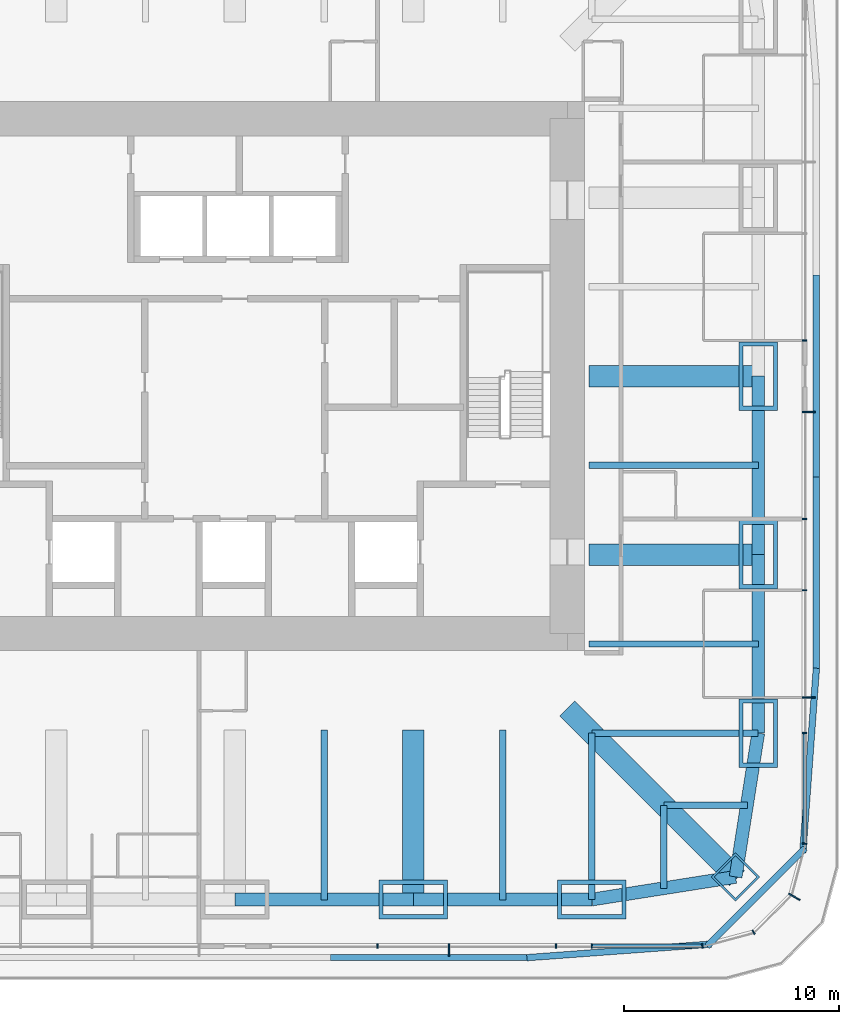
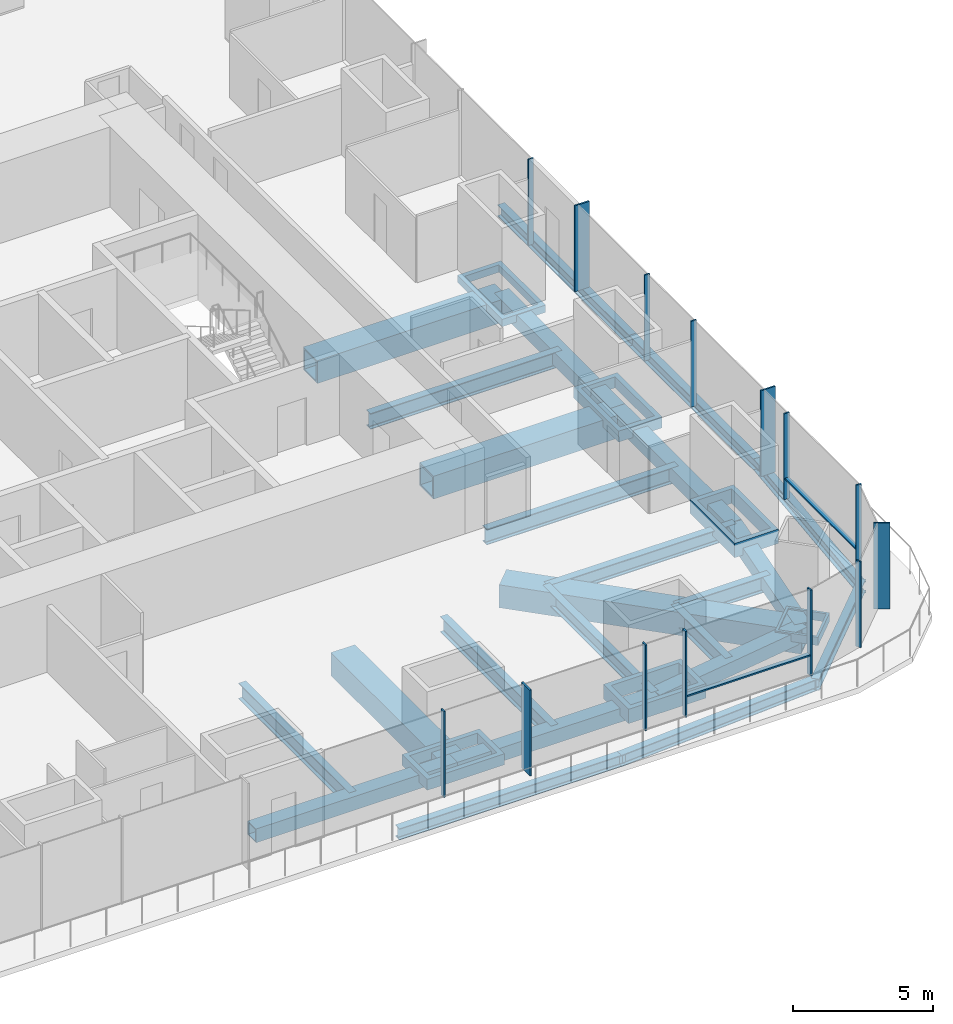
# One storey, part 4 of 15: 32 members, 14 beams, 3 elements without a shape of their own.
"""IFC4 building model written with IfcOpenShell, lengths in metres."""

from ifc_helpers import new_model, si_unit, direction, frame, origin, origin_2d, place, context, subcontext, project, spatial, rectangle, hollow_rectangle, i_section, extrude, material, material_profile, profile_set, type_object, element, aggregate, save


model = new_model("IFC4")

# Units and contexts
model_context = context("Model", 3, precision=1e-05, world=origin(), true_north=direction((0.0, 1.0)))
body_context = subcontext(model_context, "Body", "Model", "MODEL_VIEW")
ifc_project = project(units=[si_unit("LENGTHUNIT", "METRE"), si_unit("AREAUNIT", "SQUARE_METRE"), si_unit("VOLUMEUNIT", "CUBIC_METRE"), si_unit("PLANEANGLEUNIT", "RADIAN"), si_unit("MASSUNIT", "GRAM", prefix="KILO")], contexts=[model_context])

# Site, building, storey
site_placement = place(None, origin())
site = spatial("IfcSite", under=ifc_project, at=site_placement, CompositionType="ELEMENT")
building_placement = place(site_placement, origin())
building = spatial("IfcBuilding", under=site, at=building_placement, Name="Khuree Lantern Residences", CompositionType="ELEMENT")
storey_placement = place(building_placement, frame((0.0, 0.0, 199.5)))
storey = spatial("IfcBuildingStorey", under=building, at=storey_placement, Name="L49", CompositionType="ELEMENT", Elevation=199.5)

# Beams
ifc_material_1 = material(Name="Steel S355", Category="steel")
ifc_material_profile_1 = material_profile(ifc_material_1, i_section(OverallWidth=0.300048828125, OverallDepth=0.68994140625, WebThickness=0.014404296875, FlangeThickness=0.027099609375, FilletRadius=0.027099609375, at=origin_2d()), Name="HE 700 A")
ifc_profile_set_1 = profile_set([ifc_material_profile_1], Name="Steel S355")
beam_type_1 = type_object("IfcBeamType", Name="B-31 SECONDARY BEAM HE 700 A", PredefinedType="BEAM", material=ifc_profile_set_1)
for number, where, z_axis, x_axis, name in (
    (1, (24.416015625, -4.16259765625, -0.594970703125), (-1.0, 0.0, 0.0), (0.0, -1.0, 0.0), "Secondary beam E4"),
    (2, (24.416015625, -12.487548828125, -0.594970703125), (-1.0, 0.0, 0.0), (0.0, -1.0, 0.0), "Secondary beam E5"),
):
    element("IfcBeam", number, at=place(storey_placement, frame(where, z_axis=z_axis, x_axis=x_axis)), inside=storey, type_object=beam_type_1, Name=name, PredefinedType="BEAM", context=body_context, shape_type="SweptSolid", body=[
        extrude(i_section(OverallWidth=0.300048828125, OverallDepth=0.68994140625, WebThickness=0.014404296875, FlangeThickness=0.027099609375, FilletRadius=0.027099609375, at=origin_2d()), origin(), (0.0, 0.0, 1.0), 7.916015625),
    ])
for number, where, z_axis, x_axis, name in (
    (3, (23.88818359375, -20.005126953125, -0.594970703125), (-1.0, 0.0, 0.0), (0.0, -1.0, 0.0), "Secondary beam E6"),
    (4, (20.005126953125, -23.88818359375, -0.594970703125), (0.0, 1.0, 0.0), (-1.0, 0.0, 0.0), "Secondary beam S1"),
):
    element("IfcBeam", number, at=place(storey_placement, frame(where, z_axis=z_axis, x_axis=x_axis)), inside=storey, type_object=beam_type_1, Name=name, PredefinedType="BEAM", context=body_context, shape_type="SweptSolid", body=[
        extrude(i_section(OverallWidth=0.300048828125, OverallDepth=0.68994140625, WebThickness=0.014404296875, FlangeThickness=0.027099609375, FilletRadius=0.027099609375, at=origin_2d()), origin(), (0.0, 0.0, 1.0), 3.883056640625),
    ])
for number, where, z_axis, x_axis, name in (
    (5, (12.487548828125, -24.416015625, -0.594970703125), (0.0, 1.0, 0.0), (-1.0, 0.0, 0.0), "Secondary beam S2"),
    (6, (4.16259765625, -24.416015625, -0.594970703125), (0.0, 1.0, 0.0), (-1.0, 0.0, 0.0), "Secondary beam S3"),
):
    element("IfcBeam", number, at=place(storey_placement, frame(where, z_axis=z_axis, x_axis=x_axis)), inside=storey, type_object=beam_type_1, Name=name, PredefinedType="BEAM", context=body_context, shape_type="SweptSolid", body=[
        extrude(i_section(OverallWidth=0.300048828125, OverallDepth=0.68994140625, WebThickness=0.014404296875, FlangeThickness=0.027099609375, FilletRadius=0.027099609375, at=origin_2d()), origin(), (0.0, 0.0, 1.0), 7.916015625),
    ])

# Members
ifc_material_profile_2 = material_profile(ifc_material_1, hollow_rectangle(XDim=0.60009765625, YDim=0.60009765625, WallThickness=0.050048828125, at=origin_2d()), Name="WELDED BOX 600X600X50")
ifc_profile_set_2 = profile_set([ifc_material_profile_2], Name="Steel S355")
member_type_1 = type_object("IfcMemberType", Name="BT-49 BELT TRUSS CHORD WELDED BOX 600X600X50", PredefinedType="CHORD", material=ifc_profile_set_2)
member_1_placement = place(storey_placement, frame((24.39990234375, 0.0, -0.550048828125), z_axis=(0.0, -1.0, 0.0), x_axis=(1.0, 0.0, 0.0)))
element("IfcMember", 7, at=member_1_placement, inside=storey, type_object=member_type_1, Name="Belt truss chord E4", PredefinedType="CHORD", context=body_context, shape_type="SweptSolid", body=[
    extrude(hollow_rectangle(XDim=0.60009765625, YDim=0.60009765625, WallThickness=0.050048828125, at=origin_2d()), origin(), (0.0, 0.0, 1.0), 8.320068359375),
])
member_2_placement = place(storey_placement, frame((24.39990234375, -8.320068359375, -0.550048828125), z_axis=(0.0, -1.0, 0.0), x_axis=(1.0, 0.0, 0.0)))
element("IfcMember", 8, at=member_2_placement, inside=storey, type_object=member_type_1, Name="Belt truss chord E5", PredefinedType="CHORD", context=body_context, shape_type="SweptSolid", body=[
    extrude(hollow_rectangle(XDim=0.60009765625, YDim=0.60009765625, WallThickness=0.050048828125, at=origin_2d()), origin(), (0.0, 0.0, 1.0), 8.31982421875),
])
for number, where, z_axis, x_axis, name in (
    (9, (24.39990234375, -16.639892578125, -0.550048828125), (-0.155299507442, -0.98786743189, 0.0), (0.98786743189, -0.155299507442, 0.0), "Belt truss chord E6"),
    (10, (23.345703125, -23.345703125, -0.550048828125), (-0.98786743189, -0.155299507442, 0.0), (0.155299507442, -0.98786743189, 0.0), "Belt truss chord S1"),
):
    element("IfcMember", number, at=place(storey_placement, frame(where, z_axis=z_axis, x_axis=x_axis)), inside=storey, type_object=member_type_1, Name=name, PredefinedType="CHORD", context=body_context, shape_type="SweptSolid", body=[
        extrude(hollow_rectangle(XDim=0.60009765625, YDim=0.60009765625, WallThickness=0.050048828125, at=origin_2d()), origin(), (0.0, 0.0, 1.0), 6.7880859375),
    ])
member_3_placement = place(storey_placement, frame((16.639892578125, -24.39990234375, -0.550048828125), z_axis=(-1.0, 0.0, 0.0), x_axis=(0.0, -1.0, 0.0)))
element("IfcMember", 11, at=member_3_placement, inside=storey, type_object=member_type_1, Name="Belt truss chord S2", PredefinedType="CHORD", context=body_context, shape_type="SweptSolid", body=[
    extrude(hollow_rectangle(XDim=0.60009765625, YDim=0.60009765625, WallThickness=0.050048828125, at=origin_2d()), origin(), (0.0, 0.0, 1.0), 8.31982421875),
])
member_4_placement = place(storey_placement, frame((8.320068359375, -24.39990234375, -0.550048828125), z_axis=(-1.0, 0.0, 0.0), x_axis=(0.0, -1.0, 0.0)))
element("IfcMember", 12, at=member_4_placement, inside=storey, type_object=member_type_1, Name="Belt truss chord S3", PredefinedType="CHORD", context=body_context, shape_type="SweptSolid", body=[
    extrude(hollow_rectangle(XDim=0.60009765625, YDim=0.60009765625, WallThickness=0.050048828125, at=origin_2d()), origin(), (0.0, 0.0, 1.0), 8.320068359375),
])

# Curtain wall, member
ifc_material_2 = material(Name="Bronze anodised aluminium", Category="aluminium")
curtain_wall_type_1 = type_object("IfcCurtainWallType", Name="CW-T2 TOWER CORNER CURTAIN WALL", PredefinedType="USERDEFINED", material=ifc_material_2)
curtain_wall_1_placement = place(storey_placement, origin())
curtain_wall_1 = element("IfcCurtainWall", 13, at=curtain_wall_1_placement, inside=storey, type_object=curtain_wall_type_1, Name="L49 SOUTH-EAST CORNER CURTAIN WALL", ObjectType="Faceted corner curtain wall", PredefinedType="USERDEFINED")
ifc_material_profile_3 = material_profile(ifc_material_2, rectangle(XDim=0.06494140625, YDim=0.60009765625, at=origin_2d()), Name="F1 65X600")
ifc_profile_set_3 = profile_set([ifc_material_profile_3], Name="Bronze anodised aluminium")
member_type_2 = type_object("IfcMemberType", Name="F1 BRONZE FIN MULLION TOWER 65X600", PredefinedType="MULLION", material=ifc_profile_set_3)
member_5_placement = place(storey_placement, frame((26.0869140625, -24.27490234375, 0.0), z_axis=(0.0, 0.0, 1.0), x_axis=(0.499999989586, 0.866025409797, 0.0)))
member_5 = element("IfcMember", 14, at=member_5_placement, type_object=member_type_2, Name="L49 SOUTH-EAST CORNER FIN MULLION 3", PredefinedType="MULLION", context=body_context, shape_type="SweptSolid", body=[
    extrude(rectangle(XDim=0.06494140625, YDim=0.60009765625, at=origin_2d()), origin(), (0.0, 0.0, 1.0), 3.75),
])

# Curtain wall, members
curtain_wall_type_2 = type_object("IfcCurtainWallType", Name="CW-T1 TOWER FACE CURTAIN WALL", PredefinedType="USERDEFINED", material=ifc_material_2)
curtain_wall_2_placement = place(storey_placement, origin())
curtain_wall_2 = element("IfcCurtainWall", 15, at=curtain_wall_2_placement, inside=storey, type_object=curtain_wall_type_2, Name="L49 EAST FACE CURTAIN WALL", ObjectType="Stick-built curtain wall", PredefinedType="USERDEFINED")
member_6_placement = place(storey_placement, frame((26.75, -14.97607421875, 0.0), z_axis=(0.0, 0.0, 1.0), x_axis=(0.0, 1.0, 0.0)))
member_6 = element("IfcMember", 16, at=member_6_placement, type_object=member_type_2, Name="L49 EAST FACE FIN MULLION 6", PredefinedType="MULLION", context=body_context, shape_type="SweptSolid", body=[
    extrude(rectangle(XDim=0.06494140625, YDim=0.60009765625, at=origin_2d()), origin(), (0.0, 0.0, 1.0), 3.75),
])
member_7_placement = place(storey_placement, frame((26.75, -1.6640625, 0.0), z_axis=(0.0, 0.0, 1.0), x_axis=(0.0, 1.0, 0.0)))
member_7 = element("IfcMember", 17, at=member_7_placement, type_object=member_type_2, Name="L49 EAST FACE FIN MULLION 9", PredefinedType="MULLION", context=body_context, shape_type="SweptSolid", body=[
    extrude(rectangle(XDim=0.06494140625, YDim=0.60009765625, at=origin_2d()), origin(), (0.0, 0.0, 1.0), 3.75),
])

# Curtain wall, member
curtain_wall_3_placement = place(storey_placement, origin())
curtain_wall_3 = element("IfcCurtainWall", 18, at=curtain_wall_3_placement, inside=storey, type_object=curtain_wall_type_2, Name="L49 SOUTH FACE CURTAIN WALL", ObjectType="Stick-built curtain wall", PredefinedType="USERDEFINED")
member_8_placement = place(storey_placement, frame((9.98388671875, -26.75, 0.0), z_axis=(0.0, 0.0, 1.0), x_axis=(1.0, 0.0, 0.0)))
member_8 = element("IfcMember", 19, at=member_8_placement, type_object=member_type_2, Name="L49 SOUTH FACE FIN MULLION 54", PredefinedType="MULLION", context=body_context, shape_type="SweptSolid", body=[
    extrude(rectangle(XDim=0.06494140625, YDim=0.60009765625, at=origin_2d()), origin(), (0.0, 0.0, 1.0), 3.75),
])

# Beams
ifc_material_profile_4 = material_profile(ifc_material_1, i_section(OverallWidth=0.300048828125, OverallDepth=0.60009765625, WebThickness=0.015380859375, FlangeThickness=0.030029296875, FilletRadius=0.027099609375, at=origin_2d()), Name="HE 600 B")
ifc_profile_set_4 = profile_set([ifc_material_profile_4], Name="Steel S355")
beam_type_2 = type_object("IfcBeamType", Name="G-31 GIRDER HE 600 B", PredefinedType="BEAM", material=ifc_profile_set_4)
for number, where, z_axis, x_axis, name in (
    (20, (24.39990234375, -16.639892578125, -0.550048828125), (-1.0, 0.0, 0.0), (0.0, -1.0, 0.0), "Girder E5"),
    (21, (16.639892578125, -24.39990234375, -0.550048828125), (0.0, 1.0, 0.0), (-1.0, 0.0, 0.0), "Girder S1"),
):
    element("IfcBeam", number, at=place(storey_placement, frame(where, z_axis=z_axis, x_axis=x_axis)), inside=storey, type_object=beam_type_2, Name=name, PredefinedType="BEAM", context=body_context, shape_type="SweptSolid", body=[
        extrude(i_section(OverallWidth=0.300048828125, OverallDepth=0.60009765625, WebThickness=0.015380859375, FlangeThickness=0.030029296875, FilletRadius=0.027099609375, at=origin_2d()), origin(), (0.0, 0.0, 1.0), 7.760009765625),
    ])

# Member
ifc_material_profile_5 = material_profile(ifc_material_2, rectangle(XDim=0.06494140625, YDim=0.219970703125, at=origin_2d()), Name="M1 65X220")
ifc_profile_set_5 = profile_set([ifc_material_profile_5], Name="Bronze anodised aluminium")
member_type_3 = type_object("IfcMemberType", Name="M1 BRONZE MULLION TOWER 65X220", PredefinedType="MULLION", material=ifc_profile_set_5)
member_9_placement = place(storey_placement, frame((21.794921875, -26.561767578125, 0.0), z_axis=(0.0, 0.0, 1.0), x_axis=(0.991444862943, 0.130526180298, 0.0)))
member_9 = element("IfcMember", 22, at=member_9_placement, type_object=member_type_3, Name="L49 SOUTH-EAST CORNER MULLION 1", PredefinedType="MULLION", context=body_context, shape_type="SweptSolid", body=[
    extrude(rectangle(XDim=0.06494140625, YDim=0.219970703125, at=origin_2d()), origin(), (0.0, 0.0, 1.0), 3.75),
])

member_10_placement = place(storey_placement, frame((24.179931640625, -25.92236328125, 0.0), z_axis=(0.0, 0.0, 1.0), x_axis=(0.866025409797, 0.499999989586, 0.0)))
member_10 = element("IfcMember", 23, at=member_10_placement, type_object=member_type_3, Name="L49 SOUTH-EAST CORNER MULLION 2", PredefinedType="MULLION", context=body_context, shape_type="SweptSolid", body=[
    extrude(rectangle(XDim=0.06494140625, YDim=0.219970703125, at=origin_2d()), origin(), (0.0, 0.0, 1.0), 3.75),
])

aggregate(curtain_wall_1, [member_9, member_10, member_5])

member_11_placement = place(storey_placement, frame((26.561767578125, -21.794921875, 0.0), z_axis=(0.0, 0.0, 1.0), x_axis=(0.130526180298, 0.991444862943, 0.0)))
member_11 = element("IfcMember", 24, at=member_11_placement, type_object=member_type_3, Name="L49 EAST FACE MULLION 4", PredefinedType="MULLION", context=body_context, shape_type="SweptSolid", body=[
    extrude(rectangle(XDim=0.06494140625, YDim=0.219970703125, at=origin_2d()), origin(), (0.0, 0.0, 1.0), 3.75),
])

member_12_placement = place(storey_placement, frame((26.56005859375, -16.639892578125, 0.0), z_axis=(0.0, 0.0, 1.0), x_axis=(0.0, 1.0, 0.0)))
member_12 = element("IfcMember", 25, at=member_12_placement, type_object=member_type_3, Name="L49 EAST FACE MULLION 5", PredefinedType="MULLION", context=body_context, shape_type="SweptSolid", body=[
    extrude(rectangle(XDim=0.06494140625, YDim=0.219970703125, at=origin_2d()), origin(), (0.0, 0.0, 1.0), 3.75),
])

member_13_placement = place(storey_placement, frame((26.56005859375, -9.98388671875, 0.0), z_axis=(0.0, 0.0, 1.0), x_axis=(0.0, 1.0, 0.0)))
member_13 = element("IfcMember", 26, at=member_13_placement, type_object=member_type_3, Name="L49 EAST FACE MULLION 7", PredefinedType="MULLION", context=body_context, shape_type="SweptSolid", body=[
    extrude(rectangle(XDim=0.06494140625, YDim=0.219970703125, at=origin_2d()), origin(), (0.0, 0.0, 1.0), 3.75),
])

member_14_placement = place(storey_placement, frame((26.56005859375, -6.656005859375, 0.0), z_axis=(0.0, 0.0, 1.0), x_axis=(0.0, 1.0, 0.0)))
member_14 = element("IfcMember", 27, at=member_14_placement, type_object=member_type_3, Name="L49 EAST FACE MULLION 8", PredefinedType="MULLION", context=body_context, shape_type="SweptSolid", body=[
    extrude(rectangle(XDim=0.06494140625, YDim=0.219970703125, at=origin_2d()), origin(), (0.0, 0.0, 1.0), 3.75),
])

member_15_placement = place(storey_placement, frame((26.56005859375, 1.6640625, 0.0), z_axis=(0.0, 0.0, 1.0), x_axis=(0.0, 1.0, 0.0)))
member_15 = element("IfcMember", 28, at=member_15_placement, type_object=member_type_3, Name="L49 EAST FACE MULLION 10", PredefinedType="MULLION", context=body_context, shape_type="SweptSolid", body=[
    extrude(rectangle(XDim=0.06494140625, YDim=0.219970703125, at=origin_2d()), origin(), (0.0, 0.0, 1.0), 3.75),
])

member_16_placement = place(storey_placement, frame((6.656005859375, -26.56005859375, 0.0), z_axis=(0.0, 0.0, 1.0), x_axis=(1.0, 0.0, 0.0)))
member_16 = element("IfcMember", 29, at=member_16_placement, type_object=member_type_3, Name="L49 SOUTH FACE MULLION 53", PredefinedType="MULLION", context=body_context, shape_type="SweptSolid", body=[
    extrude(rectangle(XDim=0.06494140625, YDim=0.219970703125, at=origin_2d()), origin(), (0.0, 0.0, 1.0), 3.75),
])

member_17_placement = place(storey_placement, frame((14.97607421875, -26.56005859375, 0.0), z_axis=(0.0, 0.0, 1.0), x_axis=(1.0, 0.0, 0.0)))
member_17 = element("IfcMember", 30, at=member_17_placement, type_object=member_type_3, Name="L49 SOUTH FACE MULLION 55", PredefinedType="MULLION", context=body_context, shape_type="SweptSolid", body=[
    extrude(rectangle(XDim=0.06494140625, YDim=0.219970703125, at=origin_2d()), origin(), (0.0, 0.0, 1.0), 3.75),
])

member_18_placement = place(storey_placement, frame((16.639892578125, -26.56005859375, 0.0), z_axis=(0.0, 0.0, 1.0), x_axis=(1.0, 0.0, 0.0)))
member_18 = element("IfcMember", 31, at=member_18_placement, type_object=member_type_3, Name="L49 SOUTH FACE MULLION 56", PredefinedType="MULLION", context=body_context, shape_type="SweptSolid", body=[
    extrude(rectangle(XDim=0.06494140625, YDim=0.219970703125, at=origin_2d()), origin(), (0.0, 0.0, 1.0), 3.75),
])

# Members
ifc_material_3 = material(Name="Steel S355 CFT welded box", Category="steel")
ifc_material_profile_6 = material_profile(ifc_material_3, hollow_rectangle(XDim=3.199951171875, YDim=1.800048828125, WallThickness=0.199951171875, at=origin_2d()), Name="WELDED BOX 3200X1800X200")
ifc_profile_set_6 = profile_set([ifc_material_profile_6], Name="Steel S355 CFT welded box")
member_type_4 = type_object("IfcMemberType", Name="MN MEGA COLUMN NODE WELDED BOX 3200X1800X200", PredefinedType="MEMBER", material=ifc_profile_set_6)
member_19_placement = place(storey_placement, frame((24.39990234375, 0.0, -0.550048828125), z_axis=(0.0, 0.0, 1.0), x_axis=(0.0, 1.0, 0.0)))
element("IfcMember", 32, at=member_19_placement, inside=storey, type_object=member_type_4, Name="Mega column node E3", PredefinedType="MEMBER", context=body_context, shape_type="SweptSolid", body=[
    extrude(hollow_rectangle(XDim=3.199951171875, YDim=1.800048828125, WallThickness=0.199951171875, at=origin_2d()), origin(), (0.0, 0.0, 1.0), 0.320068359375),
])
member_20_placement = place(storey_placement, frame((24.39990234375, -8.320068359375, -0.550048828125), z_axis=(0.0, 0.0, 1.0), x_axis=(0.0, 1.0, 0.0)))
element("IfcMember", 33, at=member_20_placement, inside=storey, type_object=member_type_4, Name="Mega column node E4", PredefinedType="MEMBER", context=body_context, shape_type="SweptSolid", body=[
    extrude(hollow_rectangle(XDim=3.199951171875, YDim=1.800048828125, WallThickness=0.199951171875, at=origin_2d()), origin(), (0.0, 0.0, 1.0), 0.47998046875),
])
for number, where, z_axis, x_axis, name in (
    (34, (24.39990234375, -16.639892578125, -0.550048828125), (0.0, 0.0, 1.0), (0.0, 1.0, 0.0), "Mega column node E5"),
    (35, (16.639892578125, -24.39990234375, -0.550048828125), (0.0, 0.0, 1.0), (1.0, 0.0, 0.0), "Mega column node S1"),
):
    element("IfcMember", number, at=place(storey_placement, frame(where, z_axis=z_axis, x_axis=x_axis)), inside=storey, type_object=member_type_4, Name=name, PredefinedType="MEMBER", context=body_context, shape_type="SweptSolid", body=[
        extrude(hollow_rectangle(XDim=3.199951171875, YDim=1.800048828125, WallThickness=0.199951171875, at=origin_2d()), origin(), (0.0, 0.0, 1.0), 0.630126953125),
    ])
member_21_placement = place(storey_placement, frame((8.320068359375, -24.39990234375, -0.550048828125), z_axis=(0.0, 0.0, 1.0), x_axis=(1.0, 0.0, 0.0)))
element("IfcMember", 36, at=member_21_placement, inside=storey, type_object=member_type_4, Name="Mega column node S2", PredefinedType="MEMBER", context=body_context, shape_type="SweptSolid", body=[
    extrude(hollow_rectangle(XDim=3.199951171875, YDim=1.800048828125, WallThickness=0.199951171875, at=origin_2d()), origin(), (0.0, 0.0, 1.0), 0.47998046875),
])
ifc_material_profile_7 = material_profile(ifc_material_3, hollow_rectangle(XDim=1.60009765625, YDim=1.60009765625, WallThickness=0.10009765625, at=origin_2d()), Name="WELDED BOX 1600X1600X100")
ifc_profile_set_7 = profile_set([ifc_material_profile_7], Name="Steel S355 CFT welded box")
member_type_5 = type_object("IfcMemberType", Name="MNA MEGA COLUMN NODE WELDED BOX 1600X1600X100", PredefinedType="MEMBER", material=ifc_profile_set_7)
member_22_placement = place(storey_placement, frame((23.345703125, -23.345703125, -0.550048828125), z_axis=(0.0, 0.0, 1.0), x_axis=(0.707106781187, 0.707106781187, 0.0)))
element("IfcMember", 37, at=member_22_placement, inside=storey, type_object=member_type_5, Name="Mega column node SE", PredefinedType="MEMBER", context=body_context, shape_type="SweptSolid", body=[
    extrude(hollow_rectangle(XDim=1.60009765625, YDim=1.60009765625, WallThickness=0.10009765625, at=origin_2d()), origin(), (0.0, 0.0, 1.0), 0.360107421875),
])
ifc_material_profile_8 = material_profile(ifc_material_1, hollow_rectangle(XDim=1.0, YDim=1.0, WallThickness=0.080078125, at=origin_2d()), Name="WELDED BOX 1000X1000X80")
ifc_profile_set_8 = profile_set([ifc_material_profile_8], Name="Steel S355")
member_type_6 = type_object("IfcMemberType", Name="OT-49 OUTRIGGER TRUSS CHORD WELDED BOX 1000X1000X80", PredefinedType="CHORD", material=ifc_profile_set_8)
for number, where, z_axis, x_axis, name in (
    (38, (24.39990234375, 0.0, -0.75), (-1.0, 0.0, 0.0), (0.0, -1.0, 0.0), "Outrigger chord E3"),
    (39, (24.39990234375, -8.320068359375, -0.75), (-1.0, 0.0, 0.0), (0.0, -1.0, 0.0), "Outrigger chord E4"),
    (40, (8.320068359375, -24.39990234375, -0.75), (0.0, 1.0, 0.0), (-1.0, 0.0, 0.0), "Outrigger chord S2"),
):
    element("IfcMember", number, at=place(storey_placement, frame(where, z_axis=z_axis, x_axis=x_axis)), inside=storey, type_object=member_type_6, Name=name, PredefinedType="CHORD", context=body_context, shape_type="SweptSolid", body=[
        extrude(hollow_rectangle(XDim=1.0, YDim=1.0, WallThickness=0.080078125, at=origin_2d()), origin(), (0.0, 0.0, 1.0), 7.89990234375),
    ])
member_23_placement = place(storey_placement, frame((23.412109375, -23.412109375, -0.75), z_axis=(-0.707106781187, 0.707106781187, 0.0), x_axis=(-0.707106781187, -0.707106781187, 0.0)))
element("IfcMember", 41, at=member_23_placement, inside=storey, type_object=member_type_6, Name="Outrigger chord SE", PredefinedType="CHORD", context=body_context, shape_type="SweptSolid", body=[
    extrude(hollow_rectangle(XDim=1.0, YDim=1.0, WallThickness=0.080078125, at=origin_2d()), origin(), (0.0, 0.0, 1.0), 11.189453125),
])

# Beams
ifc_material_profile_9 = material_profile(ifc_material_1, i_section(OverallWidth=0.300048828125, OverallDepth=0.5, WebThickness=0.014404296875, FlangeThickness=0.028076171875, FilletRadius=0.027099609375, at=origin_2d()), Name="HE 500 B")
ifc_profile_set_9 = profile_set([ifc_material_profile_9], Name="Steel S355")
beam_type_3 = type_object("IfcBeamType", Name="TB1 TERRACE EDGE BEAM HE 500 B", PredefinedType="BEAM", material=ifc_profile_set_9)
beam_1_placement = place(storey_placement, frame((27.10009765625, 4.705078125, -0.5), z_axis=(0.0, -1.0, 0.0), x_axis=(1.0, 0.0, 0.0)))
element("IfcBeam", 42, at=beam_1_placement, inside=storey, type_object=beam_type_3, Name="Terrace edge beam E3", PredefinedType="BEAM", context=body_context, shape_type="SweptSolid", body=[
    extrude(i_section(OverallWidth=0.300048828125, OverallDepth=0.5, WebThickness=0.014404296875, FlangeThickness=0.028076171875, FilletRadius=0.027099609375, at=origin_2d()), origin(), (0.0, 0.0, 1.0), 9.41015625),
])
beam_2_placement = place(storey_placement, frame((27.10009765625, -4.455078125, -0.5), z_axis=(0.0, -1.0, 0.0), x_axis=(1.0, 0.0, 0.0)))
element("IfcBeam", 43, at=beam_2_placement, inside=storey, type_object=beam_type_3, Name="Terrace edge beam E4", PredefinedType="BEAM", context=body_context, shape_type="SweptSolid", body=[
    extrude(i_section(OverallWidth=0.300048828125, OverallDepth=0.5, WebThickness=0.014404296875, FlangeThickness=0.028076171875, FilletRadius=0.027099609375, at=origin_2d()), origin(), (0.0, 0.0, 1.0), 9.409912109375),
])
beam_3_placement = place(storey_placement, frame((27.109130859375, -13.615234375, -0.5), z_axis=(-0.073404704465, -0.997302235715, 0.0), x_axis=(0.997302235715, -0.073404704465, 0.0)))
element("IfcBeam", 44, at=beam_3_placement, inside=storey, type_object=beam_type_3, Name="Terrace edge beam E5", PredefinedType="BEAM", context=body_context, shape_type="SweptSolid", body=[
    extrude(i_section(OverallWidth=0.300048828125, OverallDepth=0.5, WebThickness=0.014404296875, FlangeThickness=0.028076171875, FilletRadius=0.027099609375, at=origin_2d()), origin(), (0.0, 0.0, 1.0), 8.62744140625),
])
beam_4_placement = place(storey_placement, frame((26.5732421875, -22.006591796875, -0.5), z_axis=(-0.707106781187, -0.707106781187, 0.0), x_axis=(0.707106781187, -0.707106781187, 0.0)))
element("IfcBeam", 45, at=beam_4_placement, inside=storey, type_object=beam_type_3, Name="Terrace edge beam E6", PredefinedType="BEAM", context=body_context, shape_type="SweptSolid", body=[
    extrude(i_section(OverallWidth=0.300048828125, OverallDepth=0.5, WebThickness=0.014404296875, FlangeThickness=0.028076171875, FilletRadius=0.027099609375, at=origin_2d()), origin(), (0.0, 0.0, 1.0), 6.458251953125),
])
beam_5_placement = place(storey_placement, frame((22.219482421875, -26.475830078125, -0.5), z_axis=(-0.997302235715, -0.073404704465, 0.0), x_axis=(0.073404704465, -0.997302235715, 0.0)))
element("IfcBeam", 46, at=beam_5_placement, inside=storey, type_object=beam_type_3, Name="Terrace edge beam S1", PredefinedType="BEAM", context=body_context, shape_type="SweptSolid", body=[
    extrude(i_section(OverallWidth=0.300048828125, OverallDepth=0.5, WebThickness=0.014404296875, FlangeThickness=0.028076171875, FilletRadius=0.027099609375, at=origin_2d()), origin(), (0.0, 0.0, 1.0), 8.62744140625),
])
beam_6_placement = place(storey_placement, frame((13.864990234375, -27.10009765625, -0.5), z_axis=(-1.0, 0.0, 0.0), x_axis=(0.0, -1.0, 0.0)))
element("IfcBeam", 47, at=beam_6_placement, inside=storey, type_object=beam_type_3, Name="Terrace edge beam S2", PredefinedType="BEAM", context=body_context, shape_type="SweptSolid", body=[
    extrude(i_section(OverallWidth=0.300048828125, OverallDepth=0.5, WebThickness=0.014404296875, FlangeThickness=0.028076171875, FilletRadius=0.027099609375, at=origin_2d()), origin(), (0.0, 0.0, 1.0), 9.409912109375),
])

# Member
ifc_material_profile_10 = material_profile(ifc_material_2, rectangle(XDim=0.179931640625, YDim=0.06494140625, at=origin_2d()), Name="T1 180X65")
ifc_profile_set_10 = profile_set([ifc_material_profile_10], Name="Bronze anodised aluminium")
member_type_7 = type_object("IfcMemberType", Name="TRANSOM T1 TOWER 180X65", PredefinedType="USERDEFINED", material=ifc_profile_set_10)
member_24_placement = place(storey_placement, frame((26.570068359375, -21.75146484375, 0.89990234375), z_axis=(0.0, 1.0, 0.0), x_axis=(-1.0, 0.0, 0.0)))
member_24 = element("IfcMember", 48, at=member_24_placement, type_object=member_type_7, Name="L49 EAST FACE TRANSOM 4.1", ObjectType="Transom", PredefinedType="USERDEFINED", context=body_context, shape_type="SweptSolid", body=[
    extrude(rectangle(XDim=0.179931640625, YDim=0.06494140625, at=origin_2d()), origin(), (0.0, 0.0, 1.0), 5.078857421875),
])

aggregate(curtain_wall_2, [member_11, member_12, member_6, member_13, member_14, member_7, member_15, member_24])

member_25_placement = place(storey_placement, frame((16.672607421875, -26.570068359375, 0.89990234375), z_axis=(1.0, 0.0, 0.0), x_axis=(0.0, 1.0, 0.0)))
member_25 = element("IfcMember", 49, at=member_25_placement, type_object=member_type_7, Name="L49 SOUTH FACE TRANSOM 56.1", ObjectType="Transom", PredefinedType="USERDEFINED", context=body_context, shape_type="SweptSolid", body=[
    extrude(rectangle(XDim=0.179931640625, YDim=0.06494140625, at=origin_2d()), origin(), (0.0, 0.0, 1.0), 5.078857421875),
])

aggregate(curtain_wall_3, [member_16, member_8, member_17, member_18, member_25])

save(model, "model.ifc")
